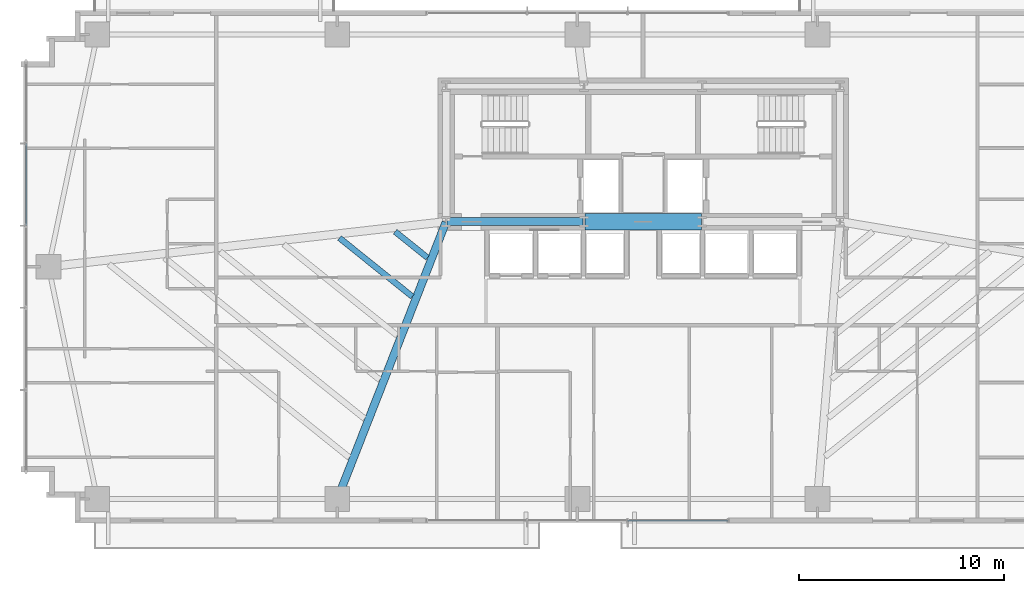
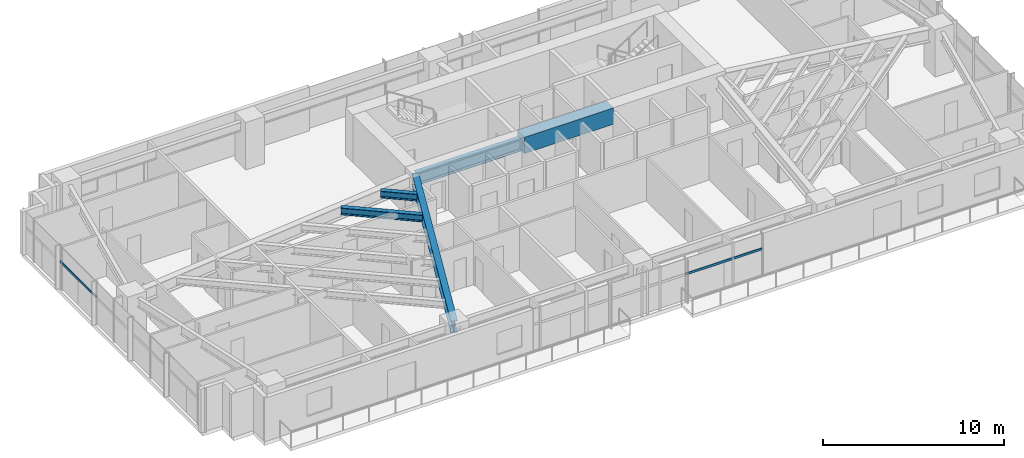
# One storey, part 7 of 25: 5 beams, 2 members, 2 elements without a shape of their own.
"""IFC4 building model written with IfcOpenShell, lengths in metres."""

from ifc_helpers import new_model, si_unit, direction, frame, origin, origin_2d, place, context, subcontext, project, spatial, rectangle, hollow_rectangle, i_section, extrude, source, transform, mapped, material, material_profile, profile_set, type_object, type_shapes, element, aggregate, save


model = new_model("IFC4")

# Units and contexts
model_context = context("Model", 3, precision=1e-05, world=origin(), true_north=direction((0.0, 1.0)))
body_context = subcontext(model_context, "Body", "Model", "MODEL_VIEW")
ifc_project = project(units=[si_unit("LENGTHUNIT", "METRE"), si_unit("AREAUNIT", "SQUARE_METRE"), si_unit("VOLUMEUNIT", "CUBIC_METRE"), si_unit("PLANEANGLEUNIT", "RADIAN"), si_unit("MASSUNIT", "GRAM", prefix="KILO")], contexts=[model_context])

# Site, building, storey
site_placement = place(None, origin())
site = spatial("IfcSite", under=ifc_project, at=site_placement, CompositionType="ELEMENT")
building_placement = place(site_placement, origin())
building = spatial("IfcBuilding", under=site, at=building_placement, Name="Astriad Promenade Condominiums", CompositionType="ELEMENT")
storey_placement = place(building_placement, frame((0.0, 0.0, 26.199951171875)))
storey = spatial("IfcBuildingStorey", under=building, at=storey_placement, Name="L06", CompositionType="ELEMENT", Elevation=26.199951171875)

# Beams
ifc_material_1 = material(Name="Steel ASTM A992 Grade 50", Category="steel")
ifc_material_profile_1 = material_profile(ifc_material_1, i_section(OverallWidth=0.3837890625, OverallDepth=0.785888671875, WebThickness=0.019775390625, FlangeThickness=0.033447265625, FilletRadius=0.021484375, at=origin_2d()), Name="W30X211")
ifc_profile_set_1 = profile_set([ifc_material_profile_1], Name="Steel ASTM A992 Grade 50")
beam_type_1 = type_object("IfcBeamType", Name="STEEL FLOOR GIRDER W30X211", PredefinedType="BEAM", material=ifc_profile_set_1)
shared_shape_1 = source(origin(), body_context, "Body", "SweptSolid", [
    extrude(i_section(OverallWidth=0.3837890625, OverallDepth=0.785888671875, WebThickness=0.019775390625, FlangeThickness=0.033447265625, FilletRadius=0.021484375, at=origin_2d()), origin(), (0.0, 0.0, 1.0), 6.64013671875),
])
beam_1_placement = place(storey_placement, frame((26.43994140625, 17.39990234375, 2.547119140625), z_axis=(1.0, 0.0, 0.0), x_axis=(0.0, 1.0, 0.0)))
element("IfcBeam", 1, at=beam_1_placement, inside=storey, type_object=beam_type_1, Name="Core Ring Beam CG-S1-L06", PredefinedType="BEAM", context=body_context, shape_type="MappedRepresentation", body=[
    mapped(shared_shape_1, transform((0.0, 0.0, 0.0), scale=1.0)),
])
ifc_material_2 = material(Name="Concrete C80/95", Category="concrete")
ifc_material_profile_2 = material_profile(ifc_material_2, rectangle(XDim=0.800048828125, YDim=1.10009765625, at=origin_2d()), Name="RC-BM-800X1100")
ifc_profile_set_2 = profile_set([ifc_material_profile_2], Name="Concrete C80/95")
beam_type_2 = type_object("IfcBeamType", Name="CONCRETE CORE COUPLING LINTEL 800X1100", PredefinedType="LINTEL", material=ifc_profile_set_2)
shared_shape_2 = source(origin(), body_context, "Body", "SweptSolid", [
    extrude(rectangle(XDim=0.800048828125, YDim=1.10009765625, at=origin_2d()), origin(), (0.0, 0.0, 1.0), 5.68017578125),
])
type_shapes(beam_type_2, [shared_shape_2])
beam_2_placement = place(storey_placement, frame((33.159912109375, 17.39990234375, 2.630126953125), z_axis=(1.0, 0.0, 0.0), x_axis=(0.0, 1.0, 0.0)))
element("IfcBeam", 2, at=beam_2_placement, inside=storey, type_object=beam_type_2, Name="Core Ring Beam CG-S2-L06", PredefinedType="LINTEL", context=body_context, shape_type="MappedRepresentation", body=[
    mapped(shared_shape_2, transform((0.0, 0.0, 0.0), scale=1.0)),
])
shared_shape_3 = source(origin(), body_context, "Body", "SweptSolid", [
    extrude(i_section(OverallWidth=0.3837890625, OverallDepth=0.785888671875, WebThickness=0.019775390625, FlangeThickness=0.033447265625, FilletRadius=0.021484375, at=origin_2d()), origin(), (0.0, 0.0, 1.0), 14.44189453125),
])
type_shapes(beam_type_1, [shared_shape_1, shared_shape_3])
beam_3_placement = place(storey_placement, frame((21.114501953125, 3.917236328125, 2.547119140625), z_axis=(0.364981228757, 0.931014877784, 0.0), x_axis=(-0.931014877784, 0.364981228757, 0.0)))
element("IfcBeam", 3, at=beam_3_placement, inside=storey, type_object=beam_type_1, Name="Primary Floor Girder PG-W2-L06", PredefinedType="BEAM", context=body_context, shape_type="MappedRepresentation", body=[
    mapped(shared_shape_3, transform((0.0, 0.0, 0.0), scale=1.0)),
])
ifc_material_profile_3 = material_profile(ifc_material_1, i_section(OverallWidth=0.283203125, OverallDepth=0.47216796875, WebThickness=0.013671875, FlangeThickness=0.022216796875, FilletRadius=0.01513671875, at=origin_2d()), Name="W18X97")
ifc_profile_set_3 = profile_set([ifc_material_profile_3], Name="Steel ASTM A992 Grade 50")
beam_type_3 = type_object("IfcBeamType", Name="STEEL FLOOR JOIST W18X97", PredefinedType="JOIST", material=ifc_profile_set_3)
shared_shape_4 = source(origin(), body_context, "Body", "SweptSolid", [
    extrude(i_section(OverallWidth=0.283203125, OverallDepth=0.47216796875, WebThickness=0.013671875, FlangeThickness=0.022216796875, FilletRadius=0.01513671875, at=origin_2d()), origin(), (0.0, 0.0, 1.0), 4.555419921875),
])
beam_4_placement = place(storey_placement, frame((21.201416015625, 16.600830078125, 2.703857421875), z_axis=(0.779365920634, -0.626569039894, 0.0), x_axis=(0.626569039894, 0.779365920634, 0.0)))
element("IfcBeam", 4, at=beam_4_placement, inside=storey, type_object=beam_type_3, Name="Secondary Composite Floor Joist JW1-5-L06", PredefinedType="JOIST", context=body_context, shape_type="MappedRepresentation", body=[
    mapped(shared_shape_4, transform((0.0, 0.0, 0.0), scale=1.0)),
])
shared_shape_5 = source(origin(), body_context, "Body", "SweptSolid", [
    extrude(i_section(OverallWidth=0.283203125, OverallDepth=0.47216796875, WebThickness=0.013671875, FlangeThickness=0.022216796875, FilletRadius=0.01513671875, at=origin_2d()), origin(), (0.0, 0.0, 1.0), 2.02587890625),
])
type_shapes(beam_type_3, [shared_shape_4, shared_shape_5])
beam_5_placement = place(storey_placement, frame((23.914794921875, 16.90869140625, 2.703857421875), z_axis=(0.779373362939, -0.626559782576, 0.0), x_axis=(0.626559782576, 0.779373362939, 0.0)))
element("IfcBeam", 5, at=beam_5_placement, inside=storey, type_object=beam_type_3, Name="Secondary Composite Floor Joist JW1-6-L06", PredefinedType="JOIST", context=body_context, shape_type="MappedRepresentation", body=[
    mapped(shared_shape_5, transform((0.0, 0.0, 0.0), scale=1.0)),
])

# Curtain wall, member
ifc_material_3 = material(Name="Anodised aluminium Black Dark Glass Unitised", Category="aluminium")
curtain_wall_type = type_object("IfcCurtainWallType", Name="CW-B1-DARK", PredefinedType="USERDEFINED", material=ifc_material_3)
curtain_wall_1_placement = place(storey_placement, origin())
curtain_wall_1 = element("IfcCurtainWall", 6, at=curtain_wall_1_placement, inside=storey, type_object=curtain_wall_type, Name="CW-L06-W", ObjectType="UNITISED_CURTAIN_WALL", PredefinedType="USERDEFINED")
ifc_material_4 = material(Name="Anodised aluminium 6063-T6 Black", Category="aluminium")
ifc_material_profile_4 = material_profile(ifc_material_4, hollow_rectangle(XDim=0.074951171875, YDim=0.14990234375, WallThickness=0.004150390625, at=origin_2d()), Name="ALU-TRN-75X150")
ifc_profile_set_4 = profile_set([ifc_material_profile_4], Name="Anodised aluminium 6063-T6 Black")
member_type = type_object("IfcMemberType", Name="TRN-ALU-TRN-75X150", PredefinedType="USERDEFINED", material=ifc_profile_set_4)
shared_shape_6 = source(origin(), body_context, "Body", "SweptSolid", [
    extrude(hollow_rectangle(XDim=0.074951171875, YDim=0.14990234375, WallThickness=0.004150390625, at=origin_2d()), origin(), (0.0, 0.0, 1.0), 4.0),
])
member_1_placement = place(storey_placement, frame((5.929931640625, 17.199951171875, 1.82275390625), z_axis=(0.0, 1.0, 0.0), x_axis=(-1.0, 0.0, 0.0)))
member_1 = element("IfcMember", 7, at=member_1_placement, type_object=member_type, Name="CW-L06-W-TRN-03-0", ObjectType="TRANSOM", PredefinedType="USERDEFINED", context=body_context, shape_type="MappedRepresentation", body=[
    mapped(shared_shape_6, transform((0.0, 0.0, 0.0), scale=1.0)),
])
aggregate(curtain_wall_1, [member_1])

curtain_wall_2_placement = place(storey_placement, origin())
curtain_wall_2 = element("IfcCurtainWall", 8, at=curtain_wall_2_placement, inside=storey, type_object=curtain_wall_type, Name="CW-L06-S", ObjectType="UNITISED_CURTAIN_WALL", PredefinedType="USERDEFINED")
shared_shape_7 = source(origin(), body_context, "Body", "SweptSolid", [
    extrude(hollow_rectangle(XDim=0.074951171875, YDim=0.14990234375, WallThickness=0.004150390625, at=origin_2d()), origin(), (0.0, 0.0, 1.0), 4.89990234375),
])
type_shapes(member_type, [shared_shape_6, shared_shape_7])
member_2_placement = place(storey_placement, frame((40.14990234375, 2.830078125, 1.82275390625), z_axis=(-1.0, 0.0, 0.0), x_axis=(0.0, -1.0, 0.0)))
member_2 = element("IfcMember", 9, at=member_2_placement, type_object=member_type, Name="CW-L06-S-TRN-00-0", ObjectType="TRANSOM", PredefinedType="USERDEFINED", context=body_context, shape_type="MappedRepresentation", body=[
    mapped(shared_shape_7, transform((0.0, 0.0, 0.0), scale=1.0)),
])
aggregate(curtain_wall_2, [member_2])

save(model, "model.ifc")
